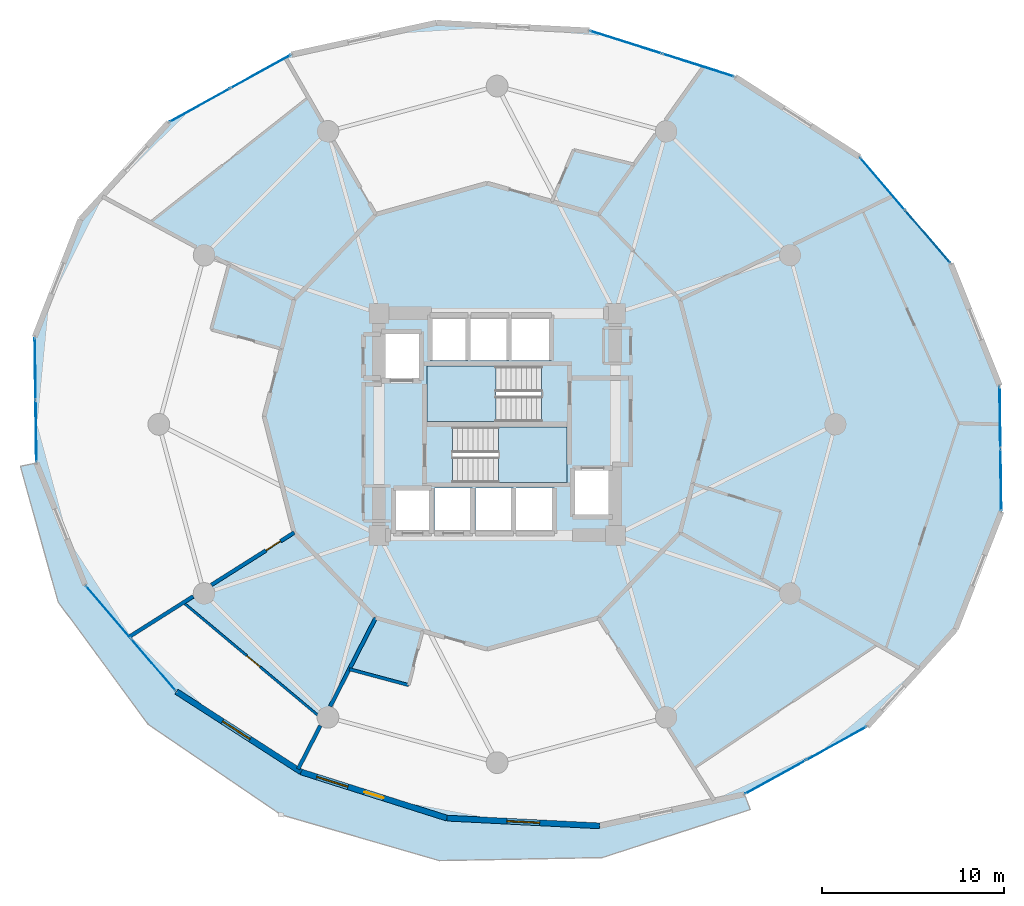
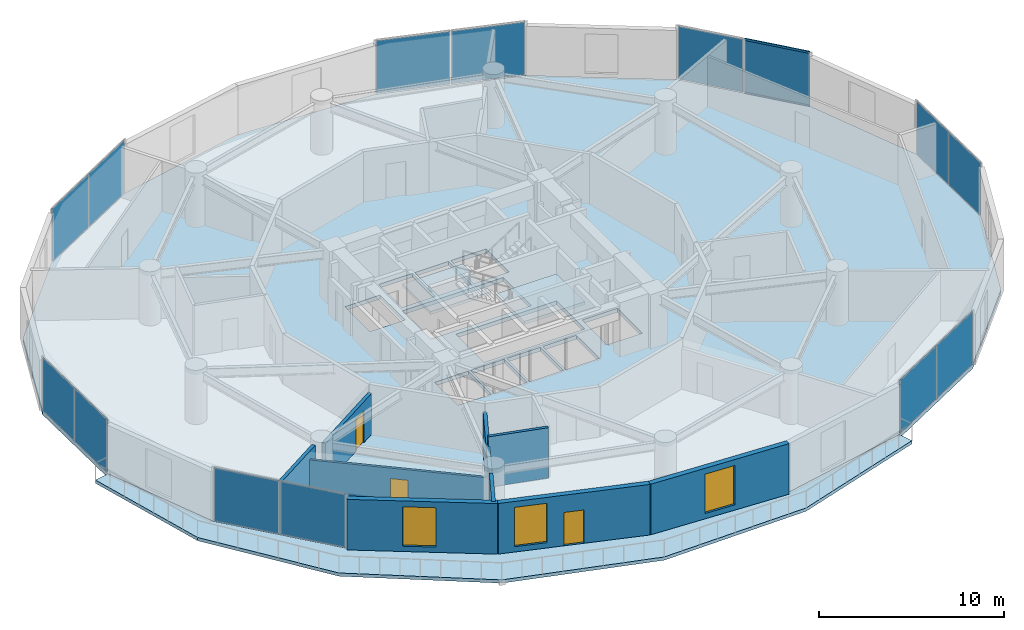
# One storey, part 16 of 23: 14 plates, 9 walls, 4 slabs, 3 doors, 3 windows, 2 members, 6 openings, 9 elements without a shape of their own.
"""IFC4 building model written with IfcOpenShell, lengths in metres."""

from ifc_helpers import new_model, si_unit, direction, frame, frame_2d, origin, origin_2d, place, context, subcontext, project, spatial, polyline, rectangle, hollow_rectangle, outline, extrude, source, transform, mapped, material, layer, layer_set, material_profile, profile_set, type_object, element, fill, aggregate, save


model = new_model("IFC4")

# Units and contexts
model_context = context("Model", 3, precision=1e-05, world=origin(), true_north=direction((0.0, 1.0)))
body_context = subcontext(model_context, "Body", "Model", "MODEL_VIEW")
ifc_project = project(units=[si_unit("LENGTHUNIT", "METRE"), si_unit("AREAUNIT", "SQUARE_METRE"), si_unit("VOLUMEUNIT", "CUBIC_METRE"), si_unit("PLANEANGLEUNIT", "RADIAN"), si_unit("MASSUNIT", "GRAM", prefix="KILO")], contexts=[model_context])

# Site, building, storey
site_placement = place(None, origin())
site = spatial("IfcSite", under=ifc_project, at=site_placement, CompositionType="ELEMENT")
building_placement = place(site_placement, origin())
building = spatial("IfcBuilding", under=site, at=building_placement, Name="Solvirekh Grand Hotel", CompositionType="ELEMENT")
storey_placement = place(building_placement, frame((0.0, 0.0, 46.39990234375)))
storey = spatial("IfcBuildingStorey", under=building, at=storey_placement, Name="L10", CompositionType="ELEMENT", Elevation=46.39990234375)

# Curtain wall, members
ifc_material_1 = material(Name="Anodized Bronze Aluminium 6063-T6", Category="aluminium")
ifc_layer_1 = layer(ifc_material_1, 0.18994140625)
ifc_layer_set_1 = layer_set([ifc_layer_1], Name="Anodized Bronze Aluminium 6063-T6")
curtain_wall_type = type_object("IfcCurtainWallType", Name="CW_Sys2_LowZoneFlushBronzeCW", PredefinedType="NOTDEFINED", material=ifc_layer_set_1)
curtain_wall_1_placement = place(storey_placement, origin())
curtain_wall_1 = element("IfcCurtainWall", 1, at=curtain_wall_1_placement, inside=storey, type_object=curtain_wall_type, Name="L10 unitised bronze-glass curtain wall CW-L10-C03", PredefinedType="NOTDEFINED")
ifc_material_profile = material_profile(ifc_material_1, hollow_rectangle(XDim=0.06005859375, YDim=0.135009765625, WallThickness=0.00390625, at=origin_2d()), Name="ALU RHS 135X60X4")
ifc_profile_set = profile_set([ifc_material_profile], Name="Anodized Bronze Aluminium 6063-T6")
member_type = type_object("IfcMemberType", Name="CWTransom_Sys2", PredefinedType="USERDEFINED", material=ifc_profile_set)
shared_shape_1 = source(origin(), body_context, "Body", "SweptSolid", [
    extrude(hollow_rectangle(XDim=0.06005859375, YDim=0.135009765625, WallThickness=0.00390625, at=origin_2d()), origin(), (0.0, 0.0, 1.0), 3.747802734375),
])
member_1_placement = place(storey_placement, frame((24.8984375, 8.895263671875, 0.030029296875), z_axis=(-0.650582125085, 0.759435908105, 0.0), x_axis=(-0.759435908105, -0.650582125085, 0.0)))
member_1 = element("IfcMember", 2, at=member_1_placement, type_object=member_type, Name="U02 transom 1.1", ObjectType="TRANSOM", PredefinedType="USERDEFINED", context=body_context, shape_type="MappedRepresentation", body=[
    mapped(shared_shape_1, transform((0.0, 0.0, 0.0), x_axis=(1.0, 0.0, 0.0), y_axis=(0.0, 1.0, 0.0), z_axis=(0.0, 0.0, 1.0), scale=1.0)),
])
member_2_placement = place(storey_placement, frame((24.8984375, 8.895263671875, 3.570068359375), z_axis=(-0.650582125085, 0.759435908105, 0.0), x_axis=(-0.759435908105, -0.650582125085, 0.0)))
member_2 = element("IfcMember", 3, at=member_2_placement, type_object=member_type, Name="U02 transom 1.2", ObjectType="TRANSOM", PredefinedType="USERDEFINED", context=body_context, shape_type="MappedRepresentation", body=[
    mapped(shared_shape_1, transform((0.0, 0.0, 0.0), x_axis=(1.0, 0.0, 0.0), y_axis=(0.0, 1.0, 0.0), z_axis=(0.0, 0.0, 1.0), scale=1.0)),
])

# Slab
ifc_material_2 = material(Name="Concrete C50/60", Category="concrete")
ifc_layer_2 = layer(ifc_material_2, 0.215087890625)
ifc_layer_set_2 = layer_set([ifc_layer_2], Name="Concrete C50/60")
slab_type_1 = type_object("IfcSlabType", Name="ExtCrescentBalc_215", PredefinedType="FLOOR", material=ifc_layer_set_2)
slab_1_placement = place(storey_placement, frame((0.0, 0.0, -0.21484375)))
element("IfcSlab", 4, at=slab_1_placement, inside=storey, type_object=slab_type_1, Name="L10 sweeping crescent balcony slab", PredefinedType="FLOOR", context=body_context, shape_type="SweptSolid", body=[
    extrude(outline(polyline([(-26.2099609375, -2.304931640625), (-24.136962890625, -9.756103515625), (-19.18408203125, -16.488037109375), (-11.882080078125, -21.4619140625), (-3.18310546875, -23.98388671875), (5.781005859375, -23.818115234375), (13.9169921875, -21.179931640625), (13.60302734375, -20.3359375), (5.64111328125, -22.072998046875), (-2.760986328125, -21.64990234375), (-10.780029296875, -19.10693359375), (-17.631103515625, -14.694091796875), (-22.64404296875, -8.842041015625), (-25.327880859375, -2.125), (-26.2099609375, -2.304931640625)])), origin(), (0.0, 0.0, 1.0), 0.21484375),
])

# Stair, slab
ifc_material_3 = material(Name="Concrete C40/50", Category="concrete")
stair_type = type_object("IfcStairType", Name="Stair_Core_1450", PredefinedType="HALF_TURN_STAIR", material=ifc_material_3)
stair_1_placement = place(storey_placement, origin())
stair_1 = element("IfcStair", 5, at=stair_1_placement, inside=storey, type_object=stair_type, Name="L10 Enclosed exit stair ST-1", PredefinedType="HALF_TURN_STAIR")
ifc_layer_3 = layer(ifc_material_3, 0.199951171875)
ifc_layer_set_3 = layer_set([ifc_layer_3], Name="Concrete C40/50")
slab_type_2 = type_object("IfcSlabType", Name="Landing_Stair_200", PredefinedType="LANDING", material=ifc_layer_set_3)
slab_2_placement = place(storey_placement, frame((0.0, 0.0, 1.60009765625)))
slab_2 = element("IfcSlab", 6, at=slab_2_placement, type_object=slab_type_2, Name="ST-1 landing 1", PredefinedType="LANDING", context=body_context, shape_type="SweptSolid", body=[
    extrude(outline(polyline([(0.070068359375, -3.199951171875), (3.85009765625, -3.199951171875), (3.85009765625, -0.14990234375), (0.070068359375, -0.14990234375), (0.070068359375, -3.199951171875)])), origin(), (0.0, 0.0, 1.0), 0.199951171875),
])
aggregate(stair_1, [slab_2])

stair_2_placement = place(storey_placement, origin())
stair_2 = element("IfcStair", 7, at=stair_2_placement, inside=storey, type_object=stair_type, Name="L10 Enclosed exit stair ST-2", PredefinedType="HALF_TURN_STAIR")
slab_3_placement = place(storey_placement, frame((0.0, 0.0, 1.60009765625)))
slab_3 = element("IfcSlab", 8, at=slab_3_placement, type_object=slab_type_2, Name="ST-2 landing 1", PredefinedType="LANDING", context=body_context, shape_type="SweptSolid", body=[
    extrude(outline(polyline([(-0.070068359375, 3.199951171875), (-3.85009765625, 3.199951171875), (-3.85009765625, 0.14990234375), (-0.070068359375, 0.14990234375), (-0.070068359375, 3.199951171875)])), origin(), (0.0, 0.0, 1.0), 0.199951171875),
])
aggregate(stair_2, [slab_3])

# Slab
ifc_layer_4 = layer(ifc_material_2, 0.260009765625)
ifc_layer_set_4 = layer_set([ifc_layer_4], Name="Concrete C50/60")
slab_type_3 = type_object("IfcSlabType", Name="Slab_GuestZ1_260", PredefinedType="FLOOR", material=ifc_layer_set_4)
slab_4_placement = place(storey_placement, frame((0.0, 0.0, -0.260009765625)))
element("IfcSlab", 9, at=slab_4_placement, inside=storey, type_object=slab_type_3, Name="L10 structural floor slab", PredefinedType="FLOOR", context=body_context, shape_type="SweptSolid", body=[
    extrude(outline(polyline([(27.719970703125, -4.800048828125), (27.6279296875, 2.125), (24.944091796875, 8.842041015625), (19.930908203125, 14.694091796875), (13.080078125, 19.10693359375), (5.06103515625, 21.64990234375), (-3.341064453125, 22.072998046875), (-11.302978515625, 20.3359375), (-18.047119140625, 16.60791015625), (-22.910888671875, 11.2548828125), (-25.419921875, 4.800048828125), (-25.327880859375, -2.125), (-22.64404296875, -8.842041015625), (-17.631103515625, -14.694091796875), (-10.780029296875, -19.10693359375), (-2.760986328125, -21.64990234375), (5.64111328125, -22.072998046875), (13.60302734375, -20.3359375), (20.346923828125, -16.60791015625), (25.2109375, -11.2548828125), (27.719970703125, -4.800048828125)]), holes=[polyline([(-2.444091796875, -0.14990234375), (3.85009765625, -0.14990234375), (3.85009765625, -3.199951171875), (-2.444091796875, -3.199951171875), (-2.444091796875, -0.14990234375)]), polyline([(2.444091796875, 0.14990234375), (-3.85009765625, 0.14990234375), (-3.85009765625, 3.199951171875), (2.444091796875, 3.199951171875), (2.444091796875, 0.14990234375)]), polyline([(-5.699951171875, -3.5), (-3.60009765625, -3.5), (-3.60009765625, -6.0), (-5.699951171875, -6.0), (-5.699951171875, -3.5)]), polyline([(-3.449951171875, -3.5), (-1.35009765625, -3.5), (-1.35009765625, -6.0), (-3.449951171875, -6.0), (-3.449951171875, -3.5)]), polyline([(-1.199951171875, -3.5), (0.89990234375, -3.5), (0.89990234375, -6.0), (-1.199951171875, -6.0), (-1.199951171875, -3.5)]), polyline([(1.050048828125, -3.5), (3.14990234375, -3.5), (3.14990234375, -6.0), (1.050048828125, -6.0), (1.050048828125, -3.5)]), polyline([(-3.699951171875, 6.0), (-1.60009765625, 6.0), (-1.60009765625, 3.5), (-3.699951171875, 3.5), (-3.699951171875, 6.0)]), polyline([(-1.449951171875, 6.0), (0.64990234375, 6.0), (0.64990234375, 3.5), (-1.449951171875, 3.5), (-1.449951171875, 6.0)]), polyline([(0.800048828125, 6.0), (3.0, 6.0), (3.0, 3.5), (0.800048828125, 3.5), (0.800048828125, 6.0)]), polyline([(-6.35009765625, 5.10009765625), (-4.14990234375, 5.10009765625), (-4.14990234375, 2.39990234375), (-6.35009765625, 2.39990234375), (-6.35009765625, 5.10009765625)]), polyline([(4.14990234375, -2.39990234375), (6.35009765625, -2.39990234375), (6.35009765625, -5.10009765625), (4.14990234375, -5.10009765625), (4.14990234375, -2.39990234375)])]), origin(), (0.0, 0.0, 1.0), 0.260009765625),
])

# Curtain wall, plates
curtain_wall_2_placement = place(storey_placement, origin())
curtain_wall_2 = element("IfcCurtainWall", 10, at=curtain_wall_2_placement, inside=storey, type_object=curtain_wall_type, Name="L10 unitised bronze-glass curtain wall CW-L10-C01", PredefinedType="NOTDEFINED")
ifc_material_4 = material(Name="Low-E Tinted Bronze Laminated Glass", Category="aluminium")
ifc_layer_5 = layer(ifc_material_4, 0.0380859375)
ifc_layer_set_5 = layer_set([ifc_layer_5], Name="Low-E Tinted Bronze Laminated Glass")
plate_type = type_object("IfcPlateType", Name="CWPanel_Low_38", PredefinedType="CURTAIN_PANEL", material=ifc_layer_set_5)
shared_shape_2 = source(origin(), body_context, "Body", "SweptSolid", [
    extrude(rectangle(XDim=3.35791015625, YDim=0.0380859375, at=origin_2d()), origin(), (0.0, 0.0, 1.0), 3.47998046875),
])
plate_1_placement = place(storey_placement, frame((27.69677734375, -3.05126953125, 0.06005859375), z_axis=(0.0, 0.0, 1.0), x_axis=(-0.013284026319, 0.99991176343, 0.0)))
plate_1 = element("IfcPlate", 11, at=plate_1_placement, type_object=plate_type, Name="U02 panel 1.1", PredefinedType="CURTAIN_PANEL", context=body_context, shape_type="MappedRepresentation", body=[
    mapped(shared_shape_2, transform((0.0, 0.0, 0.0), x_axis=(1.0, 0.0, 0.0), y_axis=(0.0, 1.0, 0.0), z_axis=(0.0, 0.0, 1.0), scale=1.0)),
])
plate_2_placement = place(storey_placement, frame((27.651123046875, 0.376220703125, 0.06005859375), z_axis=(0.0, 0.0, 1.0), x_axis=(-0.013284026319, 0.99991176343, 0.0)))
plate_2 = element("IfcPlate", 12, at=plate_2_placement, type_object=plate_type, Name="U02 panel 2.1", PredefinedType="CURTAIN_PANEL", context=body_context, shape_type="MappedRepresentation", body=[
    mapped(shared_shape_2, transform((0.0, 0.0, 0.0), x_axis=(1.0, 0.0, 0.0), y_axis=(0.0, 1.0, 0.0), z_axis=(0.0, 0.0, 1.0), scale=1.0)),
])
aggregate(curtain_wall_2, [plate_1, plate_2])

curtain_wall_3_placement = place(storey_placement, origin())
curtain_wall_3 = element("IfcCurtainWall", 13, at=curtain_wall_3_placement, inside=storey, type_object=curtain_wall_type, Name="L10 unitised bronze-glass curtain wall CW-L10-C11", PredefinedType="NOTDEFINED")
plate_3_placement = place(storey_placement, frame((-25.396728515625, 3.05126953125, 0.06005859375), z_axis=(0.0, 0.0, 1.0), x_axis=(0.013284026319, -0.99991176343, 0.0)))
plate_3 = element("IfcPlate", 14, at=plate_3_placement, type_object=plate_type, Name="U02 panel 1.1", PredefinedType="CURTAIN_PANEL", context=body_context, shape_type="MappedRepresentation", body=[
    mapped(shared_shape_2, transform((0.0, 0.0, 0.0), x_axis=(1.0, 0.0, 0.0), y_axis=(0.0, 1.0, 0.0), z_axis=(0.0, 0.0, 1.0), scale=1.0)),
])
plate_4_placement = place(storey_placement, frame((-25.351318359375, -0.376220703125, 0.06005859375), z_axis=(0.0, 0.0, 1.0), x_axis=(0.013284026319, -0.99991176343, 0.0)))
plate_4 = element("IfcPlate", 15, at=plate_4_placement, type_object=plate_type, Name="U02 panel 2.1", PredefinedType="CURTAIN_PANEL", context=body_context, shape_type="MappedRepresentation", body=[
    mapped(shared_shape_2, transform((0.0, 0.0, 0.0), x_axis=(1.0, 0.0, 0.0), y_axis=(0.0, 1.0, 0.0), z_axis=(0.0, 0.0, 1.0), scale=1.0)),
])
aggregate(curtain_wall_3, [plate_3, plate_4])

# Plate
shared_shape_3 = source(origin(), body_context, "Body", "SweptSolid", [
    extrude(rectangle(XDim=3.747802734375, YDim=0.0380859375, at=origin_2d()), origin(), (0.0, 0.0, 1.0), 3.47998046875),
])
plate_5_placement = place(storey_placement, frame((23.679443359375, 10.318359375, 0.06005859375), z_axis=(0.0, 0.0, 1.0), x_axis=(-0.650566908939, 0.75944894298, 0.0)))
plate_5 = element("IfcPlate", 16, at=plate_5_placement, type_object=plate_type, Name="U02 panel 1.1", PredefinedType="CURTAIN_PANEL", context=body_context, shape_type="MappedRepresentation", body=[
    mapped(shared_shape_3, transform((0.0, 0.0, 0.0), x_axis=(1.0, 0.0, 0.0), y_axis=(0.0, 1.0, 0.0), z_axis=(0.0, 0.0, 1.0), scale=1.0)),
])

plate_6_placement = place(storey_placement, frame((21.195556640625, 13.2177734375, 0.06005859375), z_axis=(0.0, 0.0, 1.0), x_axis=(-0.650566908939, 0.75944894298, 0.0)))
plate_6 = element("IfcPlate", 17, at=plate_6_placement, type_object=plate_type, Name="U02 panel 2.1", PredefinedType="CURTAIN_PANEL", context=body_context, shape_type="MappedRepresentation", body=[
    mapped(shared_shape_3, transform((0.0, 0.0, 0.0), x_axis=(1.0, 0.0, 0.0), y_axis=(0.0, 1.0, 0.0), z_axis=(0.0, 0.0, 1.0), scale=1.0)),
])

aggregate(curtain_wall_1, [member_1, member_2, plate_5, plate_6])

# Curtain wall, plates
curtain_wall_4_placement = place(storey_placement, origin())
curtain_wall_4 = element("IfcCurtainWall", 18, at=curtain_wall_4_placement, inside=storey, type_object=curtain_wall_type, Name="L10 unitised bronze-glass curtain wall CW-L10-C08", PredefinedType="NOTDEFINED")
plate_7_placement = place(storey_placement, frame((-13.00439453125, 19.3955078125, 0.06005859375), z_axis=(0.0, 0.0, 1.0), x_axis=(-0.875183699661, -0.483790752131, 0.0)))
plate_7 = element("IfcPlate", 19, at=plate_7_placement, type_object=plate_type, Name="U02 panel 1.1", PredefinedType="CURTAIN_PANEL", context=body_context, shape_type="MappedRepresentation", body=[
    mapped(shared_shape_3, transform((0.0, 0.0, 0.0), x_axis=(1.0, 0.0, 0.0), y_axis=(0.0, 1.0, 0.0), z_axis=(0.0, 0.0, 1.0), scale=1.0)),
])
plate_8_placement = place(storey_placement, frame((-16.345703125, 17.548583984375, 0.06005859375), z_axis=(0.0, 0.0, 1.0), x_axis=(-0.875183699661, -0.483790752131, 0.0)))
plate_8 = element("IfcPlate", 20, at=plate_8_placement, type_object=plate_type, Name="U02 panel 2.1", PredefinedType="CURTAIN_PANEL", context=body_context, shape_type="MappedRepresentation", body=[
    mapped(shared_shape_3, transform((0.0, 0.0, 0.0), x_axis=(1.0, 0.0, 0.0), y_axis=(0.0, 1.0, 0.0), z_axis=(0.0, 0.0, 1.0), scale=1.0)),
])
aggregate(curtain_wall_4, [plate_7, plate_8])

curtain_wall_5_placement = place(storey_placement, origin())
curtain_wall_5 = element("IfcCurtainWall", 21, at=curtain_wall_5_placement, inside=storey, type_object=curtain_wall_type, Name="L10 unitised bronze-glass curtain wall CW-L10-C13", PredefinedType="NOTDEFINED")
plate_9_placement = place(storey_placement, frame((-21.37939453125, -10.318359375, 0.06005859375), z_axis=(0.0, 0.0, 1.0), x_axis=(0.650566908939, -0.75944894298, 0.0)))
plate_9 = element("IfcPlate", 22, at=plate_9_placement, type_object=plate_type, Name="U02 panel 1.1", PredefinedType="CURTAIN_PANEL", context=body_context, shape_type="MappedRepresentation", body=[
    mapped(shared_shape_3, transform((0.0, 0.0, 0.0), x_axis=(1.0, 0.0, 0.0), y_axis=(0.0, 1.0, 0.0), z_axis=(0.0, 0.0, 1.0), scale=1.0)),
])
plate_10_placement = place(storey_placement, frame((-18.895751953125, -13.2177734375, 0.06005859375), z_axis=(0.0, 0.0, 1.0), x_axis=(0.650566908939, -0.75944894298, 0.0)))
plate_10 = element("IfcPlate", 23, at=plate_10_placement, type_object=plate_type, Name="U02 panel 2.1", PredefinedType="CURTAIN_PANEL", context=body_context, shape_type="MappedRepresentation", body=[
    mapped(shared_shape_3, transform((0.0, 0.0, 0.0), x_axis=(1.0, 0.0, 0.0), y_axis=(0.0, 1.0, 0.0), z_axis=(0.0, 0.0, 1.0), scale=1.0)),
])
aggregate(curtain_wall_5, [plate_9, plate_10])

curtain_wall_6_placement = place(storey_placement, origin())
curtain_wall_6 = element("IfcCurtainWall", 24, at=curtain_wall_6_placement, inside=storey, type_object=curtain_wall_type, Name="L10 unitised bronze-glass curtain wall CW-L10-C18", PredefinedType="NOTDEFINED")
plate_11_placement = place(storey_placement, frame((15.30419921875, -19.3955078125, 0.06005859375), z_axis=(0.0, 0.0, 1.0), x_axis=(0.875183699661, 0.483790752131, 0.0)))
plate_11 = element("IfcPlate", 25, at=plate_11_placement, type_object=plate_type, Name="U02 panel 1.1", PredefinedType="CURTAIN_PANEL", context=body_context, shape_type="MappedRepresentation", body=[
    mapped(shared_shape_3, transform((0.0, 0.0, 0.0), x_axis=(1.0, 0.0, 0.0), y_axis=(0.0, 1.0, 0.0), z_axis=(0.0, 0.0, 1.0), scale=1.0)),
])
plate_12_placement = place(storey_placement, frame((18.645751953125, -17.548583984375, 0.06005859375), z_axis=(0.0, 0.0, 1.0), x_axis=(0.875183699661, 0.483790752131, 0.0)))
plate_12 = element("IfcPlate", 26, at=plate_12_placement, type_object=plate_type, Name="U02 panel 2.1", PredefinedType="CURTAIN_PANEL", context=body_context, shape_type="MappedRepresentation", body=[
    mapped(shared_shape_3, transform((0.0, 0.0, 0.0), x_axis=(1.0, 0.0, 0.0), y_axis=(0.0, 1.0, 0.0), z_axis=(0.0, 0.0, 1.0), scale=1.0)),
])
aggregate(curtain_wall_6, [plate_11, plate_12])

curtain_wall_7_placement = place(storey_placement, origin())
curtain_wall_7 = element("IfcCurtainWall", 27, at=curtain_wall_7_placement, inside=storey, type_object=curtain_wall_type, Name="L10 unitised bronze-glass curtain wall CW-L10-C05", PredefinedType="NOTDEFINED")
shared_shape_4 = source(origin(), body_context, "Body", "SweptSolid", [
    extrude(rectangle(XDim=4.101318359375, YDim=0.0380859375, at=origin_2d()), origin(), (0.0, 0.0, 1.0), 3.47998046875),
])
plate_13_placement = place(storey_placement, frame((11.05859375, 19.748046875, 0.06005859375), z_axis=(0.0, 0.0, 1.0), x_axis=(-0.953217271942, 0.30228601104, 0.0)))
plate_13 = element("IfcPlate", 28, at=plate_13_placement, type_object=plate_type, Name="U02 panel 1.1", PredefinedType="CURTAIN_PANEL", context=body_context, shape_type="MappedRepresentation", body=[
    mapped(shared_shape_4, transform((0.0, 0.0, 0.0), x_axis=(1.0, 0.0, 0.0), y_axis=(0.0, 1.0, 0.0), z_axis=(0.0, 0.0, 1.0), scale=1.0)),
])
plate_14_placement = place(storey_placement, frame((7.08251953125, 21.009033203125, 0.06005859375), z_axis=(0.0, 0.0, 1.0), x_axis=(-0.953217271942, 0.30228601104, 0.0)))
plate_14 = element("IfcPlate", 29, at=plate_14_placement, type_object=plate_type, Name="U02 panel 2.1", PredefinedType="CURTAIN_PANEL", context=body_context, shape_type="MappedRepresentation", body=[
    mapped(shared_shape_4, transform((0.0, 0.0, 0.0), x_axis=(1.0, 0.0, 0.0), y_axis=(0.0, 1.0, 0.0), z_axis=(0.0, 0.0, 1.0), scale=1.0)),
])
aggregate(curtain_wall_7, [plate_13, plate_14])

# Wall, opening, window
ifc_material_5 = material(Name="Precast concrete C45/55", Category="concrete")
ifc_layer_6 = layer(ifc_material_5, 0.320068359375)
ifc_layer_set_6 = layer_set([ifc_layer_6], Name="Precast concrete C45/55")
wall_type_1 = type_object("IfcWallType", Name="ExtLobbyWall_RC320", PredefinedType="SOLIDWALL", material=ifc_layer_set_6)
wall_1_placement = place(storey_placement, frame((-10.780029296875, -19.10693359375, 0.0), z_axis=(0.0, 0.0, 1.0), x_axis=(-0.840699239941, 0.541502343451, 0.0)))
wall_1 = element("IfcWall", 30, at=wall_1_placement, inside=storey, type_object=wall_type_1, Name="L10 exterior structural wall chord 14", PredefinedType="SOLIDWALL", context=body_context, shape_type="SweptSolid", body=[
    extrude(rectangle(XDim=8.149169921875, YDim=0.320068359375, at=frame_2d((4.07470703125, 0.0))), origin(), (0.0, 0.0, 1.0), 3.340087890625),
])
opening_1_placement = place(wall_1_placement, frame((3.3349609375, 0.0, 0.35009765625)))
opening_1 = element("IfcOpeningElement", 31, at=opening_1_placement, cuts=wall_1, Name="Opening W02", PredefinedType="OPENING", context=body_context, shape_type="SweptSolid", body=[
    extrude(rectangle(XDim=1.800048828125, YDim=2.60009765625, at=frame_2d((0.89990234375, 1.300048828125))), frame((0.0, 0.169921875, 0.0), z_axis=(0.0, -1.0, 0.0), x_axis=(1.0, 0.0, 0.0)), (0.0, 0.0, 1.0), 0.340087890625),
])
window_type = type_object("IfcWindowType", Name="Win_LobbyExt_1800X2600", PartitioningType="SINGLE_PANEL", PredefinedType="WINDOW", material=ifc_material_4)
window_1_placement = place(opening_1_placement, origin())
window_1 = element("IfcWindow", 32, at=window_1_placement, inside=storey, type_object=window_type, Name="L10 panoramic bronze-framed window 14", OverallHeight=2.60009765625, OverallWidth=1.800048828125, PartitioningType="SINGLE_PANEL", PredefinedType="WINDOW", context=body_context, shape_type="SweptSolid", body=[
    extrude(rectangle(XDim=1.800048828125, YDim=2.60009765625, at=frame_2d((0.89990234375, 1.300048828125))), frame((0.0, 0.030029296875, 0.0), z_axis=(0.0, -1.0, 0.0), x_axis=(1.0, 0.0, 0.0)), (0.0, 0.0, 1.0), 0.06005859375),
])
fill(opening_1, window_1)

# Wall, openings, door, window
wall_2_placement = place(storey_placement, frame((-2.760986328125, -21.64990234375, 0.0), z_axis=(0.0, 0.0, 1.0), x_axis=(-0.953218809013, 0.302281164059, 0.0)))
wall_2 = element("IfcWall", 33, at=wall_2_placement, inside=storey, type_object=wall_type_1, Name="L10 exterior structural wall chord 15", PredefinedType="SOLIDWALL", context=body_context, shape_type="SweptSolid", body=[
    extrude(rectangle(XDim=8.41259765625, YDim=0.320068359375, at=frame_2d((4.206298828125, 0.0))), origin(), (0.0, 0.0, 1.0), 3.340087890625),
])
opening_2_placement = place(wall_2_placement, frame((5.708984375, 0.0, 0.35009765625)))
opening_2 = element("IfcOpeningElement", 34, at=opening_2_placement, cuts=wall_2, Name="Opening W02", PredefinedType="OPENING", context=body_context, shape_type="SweptSolid", body=[
    extrude(rectangle(XDim=1.800048828125, YDim=2.60009765625, at=frame_2d((0.89990234375, 1.300048828125))), frame((0.0, 0.169921875, 0.0), z_axis=(0.0, -1.0, 0.0), x_axis=(1.0, 0.0, 0.0)), (0.0, 0.0, 1.0), 0.340087890625),
])
opening_3_placement = place(wall_2_placement, frame((3.656005859375, 0.0, 0.0)))
opening_3 = element("IfcOpeningElement", 35, at=opening_3_placement, cuts=wall_2, Name="Opening D03", PredefinedType="OPENING", context=body_context, shape_type="SweptSolid", body=[
    extrude(rectangle(XDim=1.10009765625, YDim=2.199951171875, at=frame_2d((0.550048828125, 1.10009765625))), frame((0.0, 0.169921875, 0.0), z_axis=(0.0, -1.0, 0.0), x_axis=(1.0, 0.0, 0.0)), (0.0, 0.0, 1.0), 0.340087890625),
])
door_type_1 = type_object("IfcDoorType", Name="Door_ExtBalcony_1100X2200", OperationType="NOTDEFINED", PredefinedType="DOOR", material=ifc_material_1)
door_1_placement = place(opening_3_placement, origin())
door_1 = element("IfcDoor", 36, at=door_1_placement, inside=storey, type_object=door_type_1, Name="L10 Crescent balcony glazed door (15)", OperationType="SINGLE_SWING_RIGHT", OverallHeight=2.199951171875, OverallWidth=1.10009765625, PredefinedType="DOOR", context=body_context, shape_type="SweptSolid", body=[
    extrude(rectangle(XDim=1.10009765625, YDim=2.199951171875, at=frame_2d((0.550048828125, 1.10009765625))), frame((0.0, 0.02490234375, 0.0), z_axis=(0.0, -1.0, 0.0), x_axis=(1.0, 0.0, 0.0)), (0.0, 0.0, 1.0), 0.050048828125),
])
fill(opening_3, door_1)
window_2_placement = place(opening_2_placement, origin())
window_2 = element("IfcWindow", 37, at=window_2_placement, inside=storey, type_object=window_type, Name="L10 exterior side window 15", OverallHeight=2.60009765625, OverallWidth=1.800048828125, PartitioningType="SINGLE_PANEL", PredefinedType="WINDOW", context=body_context, shape_type="SweptSolid", body=[
    extrude(rectangle(XDim=1.800048828125, YDim=2.60009765625, at=frame_2d((0.89990234375, 1.300048828125))), frame((0.0, 0.030029296875, 0.0), z_axis=(0.0, -1.0, 0.0), x_axis=(1.0, 0.0, 0.0)), (0.0, 0.0, 1.0), 0.06005859375),
])
fill(opening_2, window_2)

# Wall, opening, window
wall_3_placement = place(storey_placement, frame((5.64111328125, -22.072998046875, 0.0), z_axis=(0.0, 0.0, 1.0), x_axis=(-0.998734545301, 0.050292226268, 0.0)))
wall_3 = element("IfcWall", 38, at=wall_3_placement, inside=storey, type_object=wall_type_1, Name="L10 exterior structural wall chord 16", PredefinedType="SOLIDWALL", context=body_context, shape_type="SweptSolid", body=[
    extrude(rectangle(XDim=8.412841796875, YDim=0.320068359375, at=frame_2d((4.20654296875, 0.0))), origin(), (0.0, 0.0, 1.0), 3.340087890625),
])
opening_4_placement = place(wall_3_placement, frame((3.305908203125, 0.0, 0.35009765625)))
opening_4 = element("IfcOpeningElement", 39, at=opening_4_placement, cuts=wall_3, Name="Opening W02", PredefinedType="OPENING", context=body_context, shape_type="SweptSolid", body=[
    extrude(rectangle(XDim=1.800048828125, YDim=2.60009765625, at=frame_2d((0.89990234375, 1.300048828125))), frame((0.0, 0.169921875, 0.0), z_axis=(0.0, -1.0, 0.0), x_axis=(1.0, 0.0, 0.0)), (0.0, 0.0, 1.0), 0.340087890625),
])
window_3_placement = place(opening_4_placement, origin())
window_3 = element("IfcWindow", 40, at=window_3_placement, inside=storey, type_object=window_type, Name="L10 panoramic bronze-framed window 16", OverallHeight=2.60009765625, OverallWidth=1.800048828125, PartitioningType="SINGLE_PANEL", PredefinedType="WINDOW", context=body_context, shape_type="SweptSolid", body=[
    extrude(rectangle(XDim=1.800048828125, YDim=2.60009765625, at=frame_2d((0.89990234375, 1.300048828125))), frame((0.0, 0.030029296875, 0.0), z_axis=(0.0, -1.0, 0.0), x_axis=(1.0, 0.0, 0.0)), (0.0, 0.0, 1.0), 0.06005859375),
])
fill(opening_4, window_3)

# Wall, opening, door
ifc_material_6 = material(Name="Acoustic Gypsum Partition Assembly")
ifc_layer_7 = layer(ifc_material_6, 0.135009765625)
ifc_layer_set_7 = layer_set([ifc_layer_7], Name="Acoustic Gypsum Partition Assembly")
wall_type_2 = type_object("IfcWallType", Name="Part_RoomInt_135", PredefinedType="PARTITIONING", material=ifc_layer_set_7)
wall_4_placement = place(storey_placement, frame((-17.2509765625, -9.800048828125, 0.0), z_axis=(0.0, 0.0, 1.0), x_axis=(0.766386533377, -0.642379701935, 0.0)))
wall_4 = element("IfcWall", 41, at=wall_4_placement, inside=storey, type_object=wall_type_2, Name="L10 Diplomatic Suite 1202 Suite Foyer bedroom screen wall", PredefinedType="PARTITIONING", context=body_context, shape_type="SweptSolid", body=[
    extrude(rectangle(XDim=10.040771484375, YDim=0.135009765625, at=frame_2d((5.0205078125, 0.0))), origin(), (0.0, 0.0, 1.0), 2.7919921875),
])
opening_5_placement = place(wall_4_placement, frame((4.544921875, 0.0, 0.0)))
opening_5 = element("IfcOpeningElement", 42, at=opening_5_placement, cuts=wall_4, Name="Opening D10", PredefinedType="OPENING", context=body_context, shape_type="SweptSolid", body=[
    extrude(rectangle(XDim=0.949951171875, YDim=2.10009765625, at=frame_2d((0.47509765625, 1.050048828125))), frame((0.0, 0.07763671875, 0.0), z_axis=(0.0, -1.0, 0.0), x_axis=(1.0, 0.0, 0.0)), (0.0, 0.0, 1.0), 0.155029296875),
])
door_type_2 = type_object("IfcDoorType", Name="Door_RoomInt_950X2100", OperationType="NOTDEFINED", PredefinedType="DOOR", material=ifc_material_1)
door_2_placement = place(opening_5_placement, origin())
door_2 = element("IfcDoor", 43, at=door_2_placement, inside=storey, type_object=door_type_2, Name="L10 Diplomatic Suite 1202 Suite Foyer master bedroom door", OperationType="SINGLE_SWING_RIGHT", OverallHeight=2.10009765625, OverallWidth=0.949951171875, PredefinedType="DOOR", context=body_context, shape_type="SweptSolid", body=[
    extrude(rectangle(XDim=0.949951171875, YDim=2.10009765625, at=frame_2d((0.47509765625, 1.050048828125))), frame((0.0, 0.02490234375, 0.0), z_axis=(0.0, -1.0, 0.0), x_axis=(1.0, 0.0, 0.0)), (0.0, 0.0, 1.0), 0.050048828125),
])
fill(opening_5, door_2)

ifc_layer_8 = layer(ifc_material_6, 0.2099609375)
ifc_layer_set_8 = layer_set([ifc_layer_8], Name="Acoustic Gypsum Partition Assembly")
wall_type_3 = type_object("IfcWallType", Name="Part_SuiteDemise_210", PredefinedType="PARTITIONING", material=ifc_layer_set_8)
wall_5_placement = place(storey_placement, frame((-11.158935546875, -5.949951171875, 0.0), z_axis=(0.0, 0.0, 1.0), x_axis=(-0.845381098804, -0.534163643264, 0.0)))
wall_5 = element("IfcWall", 44, at=wall_5_placement, inside=storey, type_object=wall_type_3, Name="L10 suite radial wall 8 (A)", PredefinedType="PARTITIONING", context=body_context, shape_type="SweptSolid", body=[
    extrude(rectangle(XDim=5.38232421875, YDim=0.2099609375, at=frame_2d((2.691162109375, 0.0))), origin(), (0.0, 0.0, 1.0), 2.708984375),
])
opening_6_placement = place(wall_5_placement, frame((0.885986328125, 0.0, 0.0)))
opening_6 = element("IfcOpeningElement", 45, at=opening_6_placement, cuts=wall_5, Name="Opening D10", PredefinedType="OPENING", context=body_context, shape_type="SweptSolid", body=[
    extrude(rectangle(XDim=0.949951171875, YDim=2.10009765625, at=frame_2d((0.47509765625, 1.050048828125))), frame((0.0, 0.114990234375, 0.0), z_axis=(0.0, -1.0, 0.0), x_axis=(1.0, 0.0, 0.0)), (0.0, 0.0, 1.0), 0.22998046875),
])
door_3_placement = place(opening_6_placement, origin())
door_3 = element("IfcDoor", 46, at=door_3_placement, inside=storey, type_object=door_type_2, Name="L10 Diplomatic Suite 1202 Suite Foyer suite connecting door", OperationType="SINGLE_SWING_LEFT", OverallHeight=2.10009765625, OverallWidth=0.949951171875, PredefinedType="DOOR", context=body_context, shape_type="SweptSolid", body=[
    extrude(rectangle(XDim=0.949951171875, YDim=2.10009765625, at=frame_2d((0.47509765625, 1.050048828125))), frame((0.0, 0.02490234375, 0.0), z_axis=(0.0, -1.0, 0.0), x_axis=(1.0, 0.0, 0.0)), (0.0, 0.0, 1.0), 0.050048828125),
])
fill(opening_6, door_3)

# Walls
wall_6_placement = place(storey_placement, frame((-16.7080078125, -9.4560546875, 0.0), z_axis=(0.0, 0.0, 1.0), x_axis=(-0.845312509881, -0.534272178425, 0.0)))
element("IfcWall", 47, at=wall_6_placement, inside=storey, type_object=wall_type_3, Name="L10 suite radial wall 8 (B)", PredefinedType="PARTITIONING", context=body_context, shape_type="SweptSolid", body=[
    extrude(rectangle(XDim=4.112060546875, YDim=0.2099609375, at=frame_2d((2.05615234375, 0.0))), origin(), (0.0, 0.0, 1.0), 3.340087890625),
])
wall_7_placement = place(storey_placement, frame((-6.675048828125, -10.635009765625, 0.0), z_axis=(0.0, 0.0, 1.0), x_axis=(-0.456563129712, -0.889691018605, 0.0)))
element("IfcWall", 48, at=wall_7_placement, inside=storey, type_object=wall_type_3, Name="L10 suite radial wall 9 (A)", PredefinedType="PARTITIONING", context=body_context, shape_type="SweptSolid", body=[
    extrude(rectangle(XDim=5.46923828125, YDim=0.2099609375, at=frame_2d((2.734619140625, 0.0))), origin(), (0.0, 0.0, 1.0), 2.708984375),
])
wall_8_placement = place(storey_placement, frame((-9.718017578125, -16.56591796875, 0.0), z_axis=(0.0, 0.0, 1.0), x_axis=(-0.456431135396, -0.889758741818, 0.0)))
element("IfcWall", 49, at=wall_8_placement, inside=storey, type_object=wall_type_3, Name="L10 suite radial wall 9 (B)", PredefinedType="PARTITIONING", context=body_context, shape_type="SweptSolid", body=[
    extrude(rectangle(XDim=2.68408203125, YDim=0.2099609375, at=frame_2d((1.342041015625, 0.0))), origin(), (0.0, 0.0, 1.0), 3.340087890625),
])
ifc_layer_9 = layer(ifc_material_6, 0.175048828125)
ifc_layer_set_9 = layer_set([ifc_layer_9], Name="Acoustic Gypsum Partition Assembly")
wall_type_4 = type_object("IfcWallType", Name="Plumb_Ensuite_175", PredefinedType="PLUMBINGWALL", material=ifc_layer_set_9)
wall_9_placement = place(storey_placement, frame((-8.1259765625, -13.462890625, 0.0), z_axis=(0.0, 0.0, 1.0), x_axis=(0.965815899111, -0.259228950978, 0.0)))
element("IfcWall", 50, at=wall_9_placement, inside=storey, type_object=wall_type_4, Name="L10 En-suite Bathroom 1203 outer plumbing wall", PredefinedType="PLUMBINGWALL", context=body_context, shape_type="SweptSolid", body=[
    extrude(rectangle(XDim=3.37548828125, YDim=0.175048828125, at=frame_2d((1.687744140625, 0.0))), origin(), (0.0, 0.0, 1.0), 3.340087890625),
])

save(model, "model.ifc")
